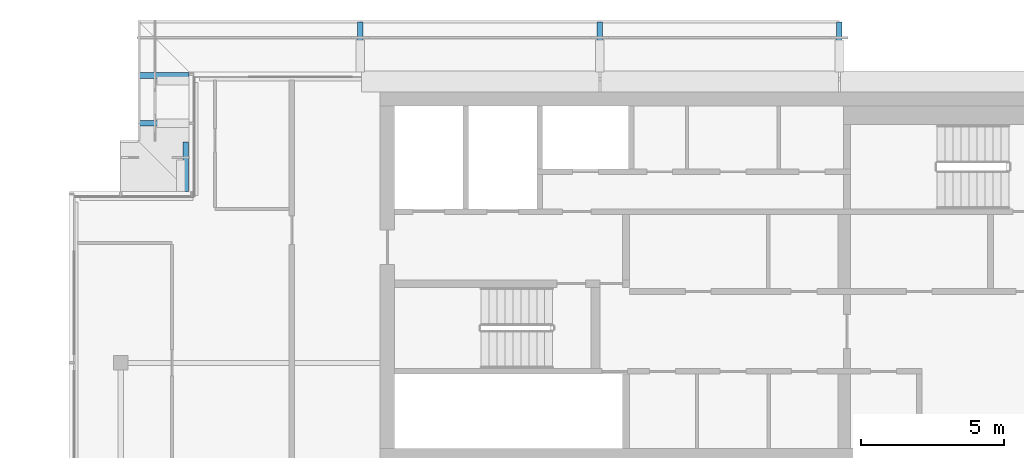
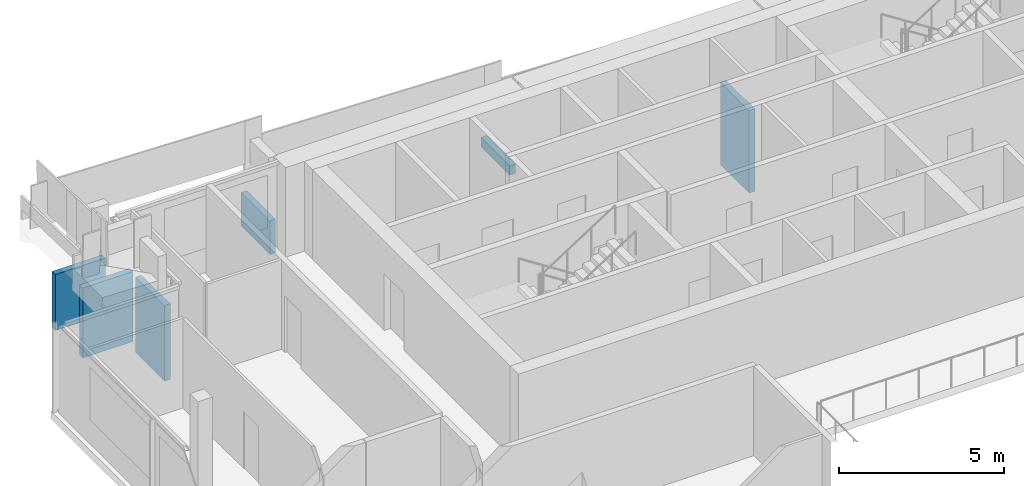
# One storey, part 16 of 21: 6 discrete accessories.
"""IFC4 building model written with IfcOpenShell, lengths in metres."""

from ifc_helpers import new_model, si_unit, direction, frame, origin, origin_2d, place, context, subcontext, project, spatial, rectangle, extrude, element, save


model = new_model("IFC4")

# Units and contexts
model_context = context("Model", 3, precision=1e-05, world=origin(), true_north=direction((0.0, 1.0)))
body_context = subcontext(model_context, "Body", "Model", "MODEL_VIEW")
ifc_project = project(units=[si_unit("LENGTHUNIT", "METRE"), si_unit("AREAUNIT", "SQUARE_METRE"), si_unit("VOLUMEUNIT", "CUBIC_METRE"), si_unit("PLANEANGLEUNIT", "RADIAN"), si_unit("MASSUNIT", "GRAM", prefix="KILO")], contexts=[model_context])

# Site, building, storey
site_placement = place(None, origin())
site = spatial("IfcSite", under=ifc_project, at=site_placement, CompositionType="ELEMENT")
building_placement = place(site_placement, origin())
building = spatial("IfcBuilding", under=site, at=building_placement, Name="Saffron Gate Tower", CompositionType="ELEMENT")
storey_placement = place(building_placement, frame((0.0, 0.0, 288.75)))
storey = spatial("IfcBuildingStorey", under=building, at=storey_placement, Name="L70", CompositionType="ELEMENT", Elevation=288.75)

# Discrete accessories
discrete_accessory_1_placement = place(storey_placement, frame((83.39990234375, 76.47509765625, -3.880126953125), z_axis=(0.0, 0.0, 1.0), x_axis=(-1.0, 0.0, 0.0)))
element("IfcDiscreteAccessory", 1, at=discrete_accessory_1_placement, inside=storey, Name="LEDGE rib", PredefinedType="BRACKET", context=body_context, shape_type="SweptSolid", body=[
    extrude(rectangle(XDim=0.199951171875, YDim=1.75, at=origin_2d()), origin(), (0.0, 0.0, 1.0), 3.05517578125),
])
discrete_accessory_2_placement = place(storey_placement, frame((75.0, 76.47509765625, -0.280029296875), z_axis=(0.0, 0.0, 1.0), x_axis=(-1.0, 0.0, 0.0)))
element("IfcDiscreteAccessory", 2, at=discrete_accessory_2_placement, inside=storey, Name="LEDGE rib", PredefinedType="BRACKET", context=body_context, shape_type="SweptSolid", body=[
    extrude(rectangle(XDim=0.199951171875, YDim=1.75, at=origin_2d()), origin(), (0.0, 0.0, 1.0), 0.3515625),
])
discrete_accessory_3_placement = place(storey_placement, frame((66.60009765625, 76.47509765625, -0.280029296875), z_axis=(0.0, 0.0, 1.0), x_axis=(-1.0, 0.0, 0.0)))
element("IfcDiscreteAccessory", 3, at=discrete_accessory_3_placement, inside=storey, Name="LEDGE rib", PredefinedType="BRACKET", context=body_context, shape_type="SweptSolid", body=[
    extrude(rectangle(XDim=0.199951171875, YDim=1.75, at=origin_2d()), origin(), (0.0, 0.0, 1.0), 1.248046875),
])
discrete_accessory_4_placement = place(storey_placement, frame((59.72509765625, 75.47998046875, -0.280029296875), z_axis=(0.0, 0.0, 1.0), x_axis=(0.0, -1.0, 0.0)))
element("IfcDiscreteAccessory", 4, at=discrete_accessory_4_placement, inside=storey, Name="LEDGE rib", PredefinedType="BRACKET", context=body_context, shape_type="SweptSolid", body=[
    extrude(rectangle(XDim=0.199951171875, YDim=1.75, at=origin_2d()), origin(), (0.0, 0.0, 1.0), 2.0751953125),
])
discrete_accessory_5_placement = place(storey_placement, frame((59.72509765625, 73.800048828125, -0.27978515625), z_axis=(0.0, 0.0, 1.0), x_axis=(0.0, -1.0, 0.0)))
element("IfcDiscreteAccessory", 5, at=discrete_accessory_5_placement, inside=storey, Name="LEDGE rib", PredefinedType="BRACKET", context=body_context, shape_type="SweptSolid", body=[
    extrude(rectangle(XDim=0.199951171875, YDim=1.75, at=origin_2d()), origin(), (0.0, 0.0, 1.0), 2.594482421875),
])
discrete_accessory_6_placement = place(storey_placement, frame((60.47998046875, 72.27490234375, -0.27978515625), z_axis=(0.0, 0.0, 1.0), x_axis=(-1.0, 0.0, 0.0)))
element("IfcDiscreteAccessory", 6, at=discrete_accessory_6_placement, inside=storey, Name="LEDGE rib", PredefinedType="BRACKET", context=body_context, shape_type="SweptSolid", body=[
    extrude(rectangle(XDim=0.199951171875, YDim=1.75, at=origin_2d()), origin(), (0.0, 0.0, 1.0), 2.803955078125),
])

save(model, "model.ifc")
